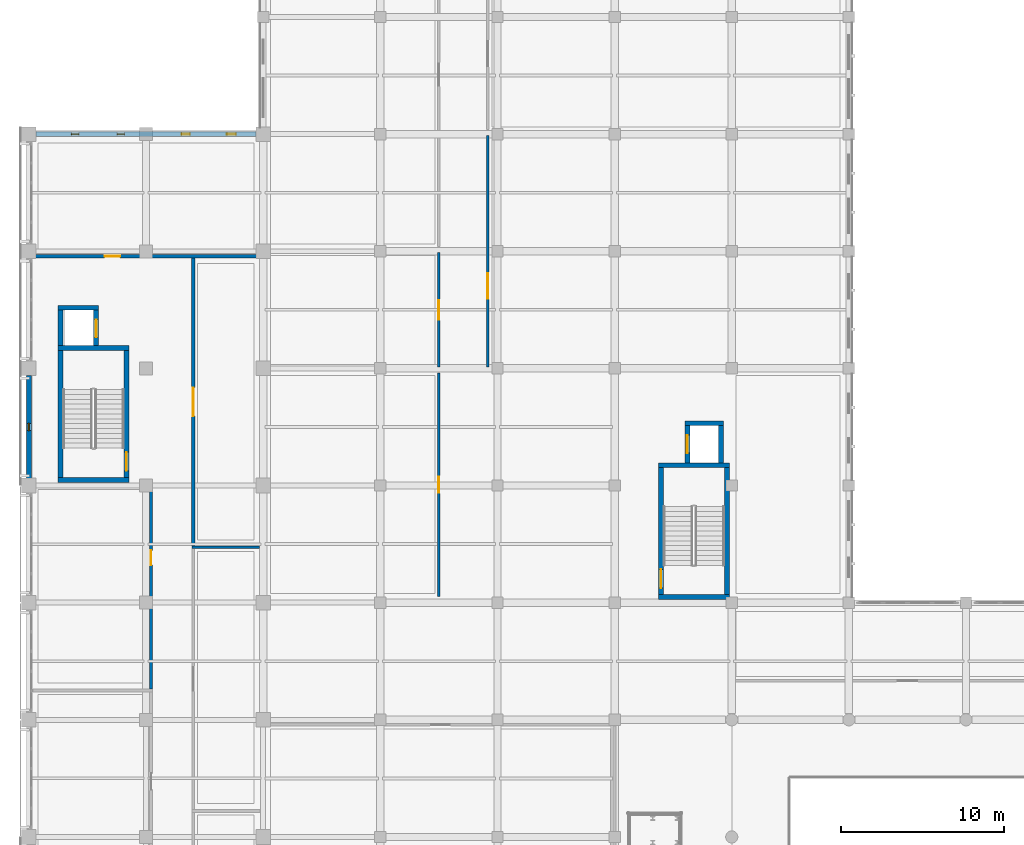
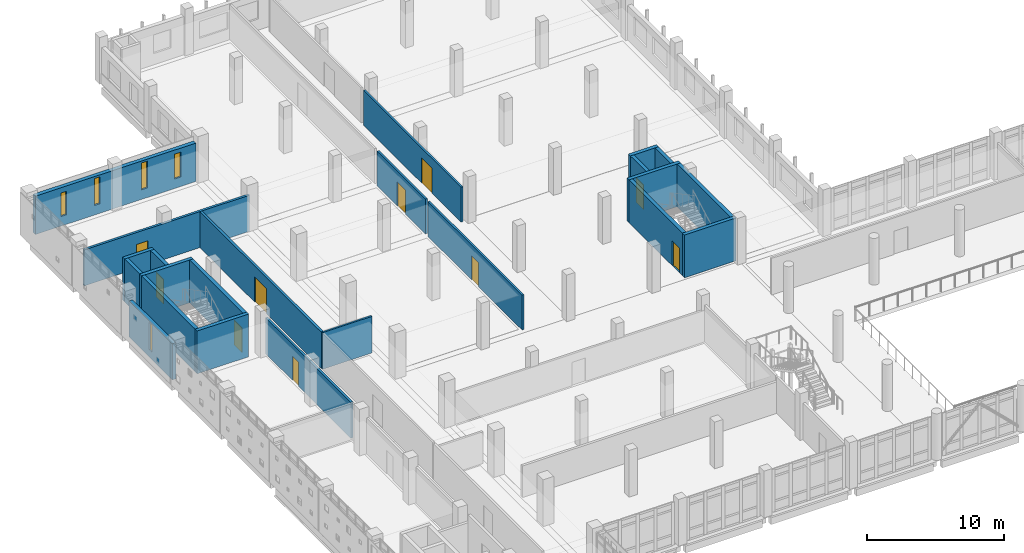
# One storey, part 36 of 57: 23 walls, 10 doors, 5 windows, 15 openings.
"""IFC4 building model written with IfcOpenShell, lengths in metres."""

from ifc_helpers import new_model, si_unit, direction, frame, frame_2d, origin, place, context, subcontext, project, spatial, rectangle, extrude, material, layer, layer_set, type_object, element, fill, save


model = new_model("IFC4")

# Units and contexts
model_context = context("Model", 3, precision=1e-05, world=origin(), true_north=direction((0.0, 1.0)))
body_context = subcontext(model_context, "Body", "Model", "MODEL_VIEW")
ifc_project = project(units=[si_unit("LENGTHUNIT", "METRE"), si_unit("AREAUNIT", "SQUARE_METRE"), si_unit("VOLUMEUNIT", "CUBIC_METRE"), si_unit("PLANEANGLEUNIT", "RADIAN"), si_unit("MASSUNIT", "GRAM", prefix="KILO")], contexts=[model_context])

# Site, building, storey
site_placement = place(None, origin())
site = spatial("IfcSite", under=ifc_project, at=site_placement, CompositionType="ELEMENT")
building_placement = place(site_placement, origin())
building = spatial("IfcBuilding", under=site, at=building_placement, Name="Valkovuoma Quantum and Materials Research Institute", CompositionType="ELEMENT")
storey_placement = place(building_placement, frame((0.0, 0.0, 4.800048828125)))
storey = spatial("IfcBuildingStorey", under=building, at=storey_placement, Name="L01", CompositionType="ELEMENT", Elevation=4.800048828125)

# Walls
ifc_material_1 = material(Name="Concrete C40/50", Category="concrete")
ifc_layer_1 = layer(ifc_material_1, 0.300048828125)
ifc_layer_set_1 = layer_set([ifc_layer_1], Name="Concrete C40/50")
wall_type_1 = type_object("IfcWallType", Name="Wall-W-COR300", PredefinedType="SHEAR", material=ifc_layer_set_1)
for number, where, z_axis, x_axis, name in (
    (1, (1.800048828125, 72.35009765625, 0.0), (0.0, 0.0, 1.0), (1.0, 0.0, 0.0), "L01 core wall 0136"),
    (2, (1.800048828125, 80.449951171875, 0.0), (0.0, 0.0, 1.0), (1.0, 0.0, 0.0), "L01 core wall 0137"),
):
    element("IfcWall", number, at=place(storey_placement, frame(where, z_axis=z_axis, x_axis=x_axis)), inside=storey, type_object=wall_type_1, Name=name, PredefinedType="SHEAR", context=body_context, shape_type="SweptSolid", body=[
        extrude(rectangle(XDim=4.349853515625, YDim=0.300048828125, at=frame_2d((2.1748046875, 0.0))), origin(), (0.0, 0.0, 1.0), 3.81005859375),
    ])
wall_1_placement = place(storey_placement, frame((1.949951171875, 72.5, 0.0), z_axis=(0.0, 0.0, 1.0), x_axis=(0.0, 1.0, 0.0)))
element("IfcWall", 3, at=wall_1_placement, inside=storey, type_object=wall_type_1, Name="L01 core wall 0138", PredefinedType="SHEAR", context=body_context, shape_type="SweptSolid", body=[
    extrude(rectangle(XDim=7.800048828125, YDim=0.300048828125, at=frame_2d((3.89990234375, 0.0))), origin(), (0.0, 0.0, 1.0), 3.81005859375),
])

# Wall, opening, door
wall_2_placement = place(storey_placement, frame((6.0, 72.5, 0.0), z_axis=(0.0, 0.0, 1.0), x_axis=(0.0, 1.0, 0.0)))
wall_2 = element("IfcWall", 4, at=wall_2_placement, inside=storey, type_object=wall_type_1, Name="L01 core wall 0139", PredefinedType="SHEAR", context=body_context, shape_type="SweptSolid", body=[
    extrude(rectangle(XDim=7.800048828125, YDim=0.300048828125, at=frame_2d((3.89990234375, 0.0))), origin(), (0.0, 0.0, 1.0), 3.81005859375),
])
opening_1_placement = place(wall_2_placement, frame((0.39990234375, 0.0, 0.0)))
opening_1 = element("IfcOpeningElement", 5, at=opening_1_placement, cuts=wall_2, Name="Opening SD-025", PredefinedType="OPENING", context=body_context, shape_type="SweptSolid", body=[
    extrude(rectangle(XDim=1.14990234375, YDim=2.199951171875, at=frame_2d((0.574951171875, 1.10009765625))), frame((0.0, 0.16015625, 0.0), z_axis=(0.0, -1.0, 0.0), x_axis=(1.0, 0.0, 0.0)), (0.0, 0.0, 1.0), 0.320068359375),
])
ifc_material_2 = material(Name="Powder-coated steel and acoustic timber door assembly", Category="steel")
door_type_1 = type_object("IfcDoorType", Name="Door-DR-ST60", OperationType="NOTDEFINED", PredefinedType="DOOR", material=ifc_material_2)
door_1_placement = place(opening_1_placement, origin())
door_1 = element("IfcDoor", 6, at=door_1_placement, inside=storey, type_object=door_type_1, Name="L01 ST-2 fire door", OperationType="SINGLE_SWING_RIGHT", OverallHeight=2.199951171875, OverallWidth=1.14990234375, PredefinedType="DOOR", context=body_context, shape_type="SweptSolid", body=[
    extrude(rectangle(XDim=1.14990234375, YDim=2.199951171875, at=frame_2d((0.574951171875, 1.10009765625))), frame((0.0, 0.02490234375, 0.0), z_axis=(0.0, -1.0, 0.0), x_axis=(1.0, 0.0, 0.0)), (0.0, 0.0, 1.0), 0.050048828125),
])
fill(opening_1, door_1)

# Walls
wall_3_placement = place(storey_placement, frame((1.800048828125, 82.929931640625, 0.0), z_axis=(0.0, 0.0, 1.0), x_axis=(1.0, 0.0, 0.0)))
element("IfcWall", 7, at=wall_3_placement, inside=storey, type_object=wall_type_1, Name="L01 core wall 0140", PredefinedType="SHEAR", context=body_context, shape_type="SweptSolid", body=[
    extrude(rectangle(XDim=2.47998046875, YDim=0.300048828125, at=frame_2d((1.239990234375, 0.0))), origin(), (0.0, 0.0, 1.0), 3.81005859375),
])
wall_4_placement = place(storey_placement, frame((1.949951171875, 80.60009765625, 0.0), z_axis=(0.0, 0.0, 1.0), x_axis=(0.0, 1.0, 0.0)))
element("IfcWall", 8, at=wall_4_placement, inside=storey, type_object=wall_type_1, Name="L01 core wall 0141", PredefinedType="SHEAR", context=body_context, shape_type="SweptSolid", body=[
    extrude(rectangle(XDim=2.179931640625, YDim=0.300048828125, at=frame_2d((1.08984375, 0.0))), origin(), (0.0, 0.0, 1.0), 3.81005859375),
])

# Wall, opening, door
wall_5_placement = place(storey_placement, frame((4.1298828125, 80.60009765625, 0.0), z_axis=(0.0, 0.0, 1.0), x_axis=(0.0, 1.0, 0.0)))
wall_5 = element("IfcWall", 9, at=wall_5_placement, inside=storey, type_object=wall_type_1, Name="L01 core wall 0142", PredefinedType="SHEAR", context=body_context, shape_type="SweptSolid", body=[
    extrude(rectangle(XDim=2.179931640625, YDim=0.300048828125, at=frame_2d((1.08984375, 0.0))), origin(), (0.0, 0.0, 1.0), 3.81005859375),
])
opening_2_placement = place(wall_5_placement, frame((0.5, 0.0, 0.0)))
opening_2 = element("IfcOpeningElement", 10, at=opening_2_placement, cuts=wall_5, Name="Opening LD-025", PredefinedType="OPENING", context=body_context, shape_type="SweptSolid", body=[
    extrude(rectangle(XDim=1.10009765625, YDim=2.199951171875, at=frame_2d((0.550048828125, 1.10009765625))), frame((0.0, 0.16015625, 0.0), z_axis=(0.0, -1.0, 0.0), x_axis=(1.0, 0.0, 0.0)), (0.0, 0.0, 1.0), 0.320068359375),
])
ifc_material_3 = material(Name="Powder-coated steel and acoustic timber door assembly", Category="steel")
door_type_2 = type_object("IfcDoorType", Name="Door-DR-LD01", OperationType="NOTDEFINED", PredefinedType="DOOR", material=ifc_material_3)
door_2_placement = place(opening_2_placement, origin())
door_2 = element("IfcDoor", 11, at=door_2_placement, inside=storey, type_object=door_type_2, Name="L01 LIFT-P2 sliding landing door", OperationType="SLIDING_TO_LEFT", OverallHeight=2.199951171875, OverallWidth=1.10009765625, PredefinedType="DOOR", context=body_context, shape_type="SweptSolid", body=[
    extrude(rectangle(XDim=1.10009765625, YDim=2.199951171875, at=frame_2d((0.550048828125, 1.10009765625))), frame((0.0, 0.02490234375, 0.0), z_axis=(0.0, -1.0, 0.0), x_axis=(1.0, 0.0, 0.0)), (0.0, 0.0, 1.0), 0.050048828125),
])
fill(opening_2, door_2)

# Walls
for number, where, z_axis, x_axis, name in (
    (12, (38.699951171875, 65.14990234375, 0.0), (0.0, 0.0, 1.0), (1.0, 0.0, 0.0), "L01 core wall 0277"),
    (13, (38.699951171875, 73.25, 0.0), (0.0, 0.0, 1.0), (1.0, 0.0, 0.0), "L01 core wall 0278"),
):
    element("IfcWall", number, at=place(storey_placement, frame(where, z_axis=z_axis, x_axis=x_axis)), inside=storey, type_object=wall_type_1, Name=name, PredefinedType="SHEAR", context=body_context, shape_type="SweptSolid", body=[
        extrude(rectangle(XDim=4.35009765625, YDim=0.300048828125, at=frame_2d((2.175048828125, 0.0))), origin(), (0.0, 0.0, 1.0), 3.81005859375),
    ])

# Wall, opening, door
wall_6_placement = place(storey_placement, frame((38.85009765625, 65.300048828125, 0.0), z_axis=(0.0, 0.0, 1.0), x_axis=(0.0, 1.0, 0.0)))
wall_6 = element("IfcWall", 14, at=wall_6_placement, inside=storey, type_object=wall_type_1, Name="L01 core wall 0279", PredefinedType="SHEAR", context=body_context, shape_type="SweptSolid", body=[
    extrude(rectangle(XDim=7.800048828125, YDim=0.300048828125, at=frame_2d((3.89990234375, 0.0))), origin(), (0.0, 0.0, 1.0), 3.81005859375),
])
opening_3_placement = place(wall_6_placement, frame((0.39990234375, 0.0, 0.0)))
opening_3 = element("IfcOpeningElement", 15, at=opening_3_placement, cuts=wall_6, Name="Opening SD-044", PredefinedType="OPENING", context=body_context, shape_type="SweptSolid", body=[
    extrude(rectangle(XDim=1.14990234375, YDim=2.199951171875, at=frame_2d((0.574951171875, 1.10009765625))), frame((0.0, 0.16015625, 0.0), z_axis=(0.0, -1.0, 0.0), x_axis=(1.0, 0.0, 0.0)), (0.0, 0.0, 1.0), 0.320068359375),
])
door_3_placement = place(opening_3_placement, frame((1.14990234375, 0.0, 0.0), z_axis=(0.0, 0.0, 1.0), x_axis=(-1.0, 0.0, 0.0)))
door_3 = element("IfcDoor", 16, at=door_3_placement, inside=storey, type_object=door_type_1, Name="L01 ST-4 fire door", OperationType="SINGLE_SWING_LEFT", OverallHeight=2.199951171875, OverallWidth=1.14990234375, PredefinedType="DOOR", context=body_context, shape_type="SweptSolid", body=[
    extrude(rectangle(XDim=1.14990234375, YDim=2.199951171875, at=frame_2d((0.574951171875, 1.10009765625))), frame((0.0, 0.02490234375, 0.0), z_axis=(0.0, -1.0, 0.0), x_axis=(1.0, 0.0, 0.0)), (0.0, 0.0, 1.0), 0.050048828125),
])
fill(opening_3, door_3)

# Walls
wall_7_placement = place(storey_placement, frame((42.89990234375, 65.300048828125, 0.0), z_axis=(0.0, 0.0, 1.0), x_axis=(0.0, 1.0, 0.0)))
element("IfcWall", 17, at=wall_7_placement, inside=storey, type_object=wall_type_1, Name="L01 core wall 0280", PredefinedType="SHEAR", context=body_context, shape_type="SweptSolid", body=[
    extrude(rectangle(XDim=7.800048828125, YDim=0.300048828125, at=frame_2d((3.89990234375, 0.0))), origin(), (0.0, 0.0, 1.0), 3.81005859375),
])
wall_8_placement = place(storey_placement, frame((40.320068359375, 75.830078125, 0.0), z_axis=(0.0, 0.0, 1.0), x_axis=(1.0, 0.0, 0.0)))
element("IfcWall", 18, at=wall_8_placement, inside=storey, type_object=wall_type_1, Name="L01 core wall 0281", PredefinedType="SHEAR", context=body_context, shape_type="SweptSolid", body=[
    extrude(rectangle(XDim=2.35986328125, YDim=0.300048828125, at=frame_2d((1.179931640625, 0.0))), origin(), (0.0, 0.0, 1.0), 3.81005859375),
])

# Wall, opening, door
wall_9_placement = place(storey_placement, frame((40.469970703125, 73.39990234375, 0.0), z_axis=(0.0, 0.0, 1.0), x_axis=(0.0, 1.0, 0.0)))
wall_9 = element("IfcWall", 19, at=wall_9_placement, inside=storey, type_object=wall_type_1, Name="L01 core wall 0282", PredefinedType="SHEAR", context=body_context, shape_type="SweptSolid", body=[
    extrude(rectangle(XDim=2.280029296875, YDim=0.300048828125, at=frame_2d((1.14013671875, 0.0))), origin(), (0.0, 0.0, 1.0), 3.81005859375),
])
opening_4_placement = place(wall_9_placement, frame((0.60009765625, 0.0, 0.0)))
opening_4 = element("IfcOpeningElement", 20, at=opening_4_placement, cuts=wall_9, Name="Opening LD-052", PredefinedType="OPENING", context=body_context, shape_type="SweptSolid", body=[
    extrude(rectangle(XDim=1.10009765625, YDim=2.199951171875, at=frame_2d((0.550048828125, 1.10009765625))), frame((0.0, 0.16015625, 0.0), z_axis=(0.0, -1.0, 0.0), x_axis=(1.0, 0.0, 0.0)), (0.0, 0.0, 1.0), 0.320068359375),
])
door_4_placement = place(opening_4_placement, origin())
door_4 = element("IfcDoor", 21, at=door_4_placement, inside=storey, type_object=door_type_2, Name="L01 LIFT-P4 sliding landing door", OperationType="SLIDING_TO_LEFT", OverallHeight=2.199951171875, OverallWidth=1.10009765625, PredefinedType="DOOR", context=body_context, shape_type="SweptSolid", body=[
    extrude(rectangle(XDim=1.10009765625, YDim=2.199951171875, at=frame_2d((0.550048828125, 1.10009765625))), frame((0.0, 0.02490234375, 0.0), z_axis=(0.0, -1.0, 0.0), x_axis=(1.0, 0.0, 0.0)), (0.0, 0.0, 1.0), 0.050048828125),
])
fill(opening_4, door_4)

# Wall
wall_10_placement = place(storey_placement, frame((42.530029296875, 73.39990234375, 0.0), z_axis=(0.0, 0.0, 1.0), x_axis=(0.0, 1.0, 0.0)))
element("IfcWall", 22, at=wall_10_placement, inside=storey, type_object=wall_type_1, Name="L01 core wall 0283", PredefinedType="SHEAR", context=body_context, shape_type="SweptSolid", body=[
    extrude(rectangle(XDim=2.280029296875, YDim=0.300048828125, at=frame_2d((1.14013671875, 0.0))), origin(), (0.0, 0.0, 1.0), 3.81005859375),
])

# Wall, opening, window
ifc_material_4 = material(Name="Precast concrete C40/50", Category="concrete")
ifc_layer_2 = layer(ifc_material_4, 0.300048828125)
ifc_layer_set_2 = layer_set([ifc_layer_2], Name="Precast concrete C40/50")
wall_type_2 = type_object("IfcWallType", Name="Wall-W-EXT300", PredefinedType="SOLIDWALL", material=ifc_layer_set_2)
wall_11_placement = place(storey_placement, frame((0.0, 72.43994140625, 0.0), z_axis=(0.0, 0.0, 1.0), x_axis=(0.0, 1.0, 0.0)))
wall_11 = element("IfcWall", 23, at=wall_11_placement, inside=storey, type_object=wall_type_2, Name="L01 exterior wall 0035", PredefinedType="SOLIDWALL", context=body_context, shape_type="SweptSolid", body=[
    extrude(rectangle(XDim=6.320068359375, YDim=0.300048828125, at=frame_2d((3.16015625, 0.0))), origin(), (0.0, 0.0, 1.0), 3.2099609375),
])
opening_5_placement = place(wall_11_placement, frame((2.93505859375, 0.0, 0.64990234375)))
opening_5 = element("IfcOpeningElement", 24, at=opening_5_placement, cuts=wall_11, Name="Opening WN-SL01", PredefinedType="OPENING", context=body_context, shape_type="SweptSolid", body=[
    extrude(rectangle(XDim=0.449951171875, YDim=2.39990234375, at=frame_2d((0.22509765625, 1.199951171875))), frame((0.0, 0.16015625, 0.0), z_axis=(0.0, -1.0, 0.0), x_axis=(1.0, 0.0, 0.0)), (0.0, 0.0, 1.0), 0.320068359375),
])
ifc_material_5 = material(Name="Triple low-E argon glazing in thermally broken aluminium frame", Category="aluminium")
window_type_1 = type_object("IfcWindowType", Name="Win-WN-SL01", PartitioningType="SINGLE_PANEL", PredefinedType="WINDOW", material=ifc_material_5)
window_1_placement = place(opening_5_placement, origin())
window_1 = element("IfcWindow", 25, at=window_1_placement, inside=storey, type_object=window_type_1, Name="L01 window 0009", OverallHeight=2.39990234375, OverallWidth=0.449951171875, PartitioningType="SINGLE_PANEL", PredefinedType="WINDOW", context=body_context, shape_type="SweptSolid", body=[
    extrude(rectangle(XDim=0.449951171875, YDim=2.39990234375, at=frame_2d((0.22509765625, 1.199951171875))), frame((0.0, 0.030029296875, 0.0), z_axis=(0.0, -1.0, 0.0), x_axis=(1.0, 0.0, 0.0)), (0.0, 0.0, 1.0), 0.06005859375),
])
fill(opening_5, window_1)

# Wall, openings, windows
ifc_material_6 = material(Name="Precast concrete C40/50", Category="concrete")
ifc_layer_3 = layer(ifc_material_6, 0.320068359375)
ifc_layer_set_3 = layer_set([ifc_layer_3], Name="Precast concrete C40/50")
wall_type_3 = type_object("IfcWallType", Name="Wall-W-EXT320", PredefinedType="SOLIDWALL", material=ifc_layer_set_3)
wall_12_placement = place(storey_placement, frame((0.43994140625, 93.60009765625, 0.0), z_axis=(0.0, 0.0, 1.0), x_axis=(1.0, 0.0, 0.0)))
wall_12 = element("IfcWall", 26, at=wall_12_placement, inside=storey, type_object=wall_type_3, Name="L01 exterior wall 0033", PredefinedType="SOLIDWALL", context=body_context, shape_type="SweptSolid", body=[
    extrude(rectangle(XDim=13.52001953125, YDim=0.320068359375, at=frame_2d((6.760009765625, 0.0))), origin(), (0.0, 0.0, 1.0), 3.419921875),
])
opening_6_placement = place(wall_12_placement, frame((2.175048828125, 0.0, 0.85009765625)))
opening_6 = element("IfcOpeningElement", 27, at=opening_6_placement, cuts=wall_12, Name="Opening WN-SL04", PredefinedType="OPENING", context=body_context, shape_type="SweptSolid", body=[
    extrude(rectangle(XDim=0.449951171875, YDim=2.10009765625, at=frame_2d((0.22509765625, 1.050048828125))), frame((0.0, 0.169921875, 0.0), z_axis=(0.0, -1.0, 0.0), x_axis=(1.0, 0.0, 0.0)), (0.0, 0.0, 1.0), 0.340087890625),
])
opening_7_placement = place(wall_12_placement, frame((4.97509765625, 0.0, 0.85009765625)))
opening_7 = element("IfcOpeningElement", 28, at=opening_7_placement, cuts=wall_12, Name="Opening WN-SL01", PredefinedType="OPENING", context=body_context, shape_type="SweptSolid", body=[
    extrude(rectangle(XDim=0.449951171875, YDim=2.39990234375, at=frame_2d((0.22509765625, 1.199951171875))), frame((0.0, 0.169921875, 0.0), z_axis=(0.0, -1.0, 0.0), x_axis=(1.0, 0.0, 0.0)), (0.0, 0.0, 1.0), 0.340087890625),
])
opening_8_placement = place(wall_12_placement, frame((8.949951171875, 0.0, 0.85009765625)))
opening_8 = element("IfcOpeningElement", 29, at=opening_8_placement, cuts=wall_12, Name="Opening WN-SL02", PredefinedType="OPENING", context=body_context, shape_type="SweptSolid", body=[
    extrude(rectangle(XDim=0.5, YDim=2.39990234375, at=frame_2d((0.25, 1.199951171875))), frame((0.0, 0.169921875, 0.0), z_axis=(0.0, -1.0, 0.0), x_axis=(1.0, 0.0, 0.0)), (0.0, 0.0, 1.0), 0.340087890625),
])
opening_9_placement = place(wall_12_placement, frame((11.72509765625, 0.0, 0.85009765625)))
opening_9 = element("IfcOpeningElement", 30, at=opening_9_placement, cuts=wall_12, Name="Opening WN-SL03", PredefinedType="OPENING", context=body_context, shape_type="SweptSolid", body=[
    extrude(rectangle(XDim=0.550048828125, YDim=2.199951171875, at=frame_2d((0.27490234375, 1.10009765625))), frame((0.0, 0.169921875, 0.0), z_axis=(0.0, -1.0, 0.0), x_axis=(1.0, 0.0, 0.0)), (0.0, 0.0, 1.0), 0.340087890625),
])
window_2_placement = place(opening_7_placement, origin())
window_2 = element("IfcWindow", 31, at=window_2_placement, inside=storey, type_object=window_type_1, Name="L01 window 0006", OverallHeight=2.39990234375, OverallWidth=0.449951171875, PartitioningType="SINGLE_PANEL", PredefinedType="WINDOW", context=body_context, shape_type="SweptSolid", body=[
    extrude(rectangle(XDim=0.449951171875, YDim=2.39990234375, at=frame_2d((0.22509765625, 1.199951171875))), frame((0.0, 0.030029296875, 0.0), z_axis=(0.0, -1.0, 0.0), x_axis=(1.0, 0.0, 0.0)), (0.0, 0.0, 1.0), 0.06005859375),
])
fill(opening_7, window_2)
ifc_material_7 = material(Name="Triple low-E argon glazing in thermally broken aluminium frame", Category="aluminium")
window_type_2 = type_object("IfcWindowType", Name="Win-WN-SL02", PartitioningType="SINGLE_PANEL", PredefinedType="WINDOW", material=ifc_material_7)
window_3_placement = place(opening_8_placement, origin())
window_3 = element("IfcWindow", 32, at=window_3_placement, inside=storey, type_object=window_type_2, Name="L01 window 0007", OverallHeight=2.39990234375, OverallWidth=0.5, PartitioningType="SINGLE_PANEL", PredefinedType="WINDOW", context=body_context, shape_type="SweptSolid", body=[
    extrude(rectangle(XDim=0.5, YDim=2.39990234375, at=frame_2d((0.25, 1.199951171875))), frame((0.0, 0.030029296875, 0.0), z_axis=(0.0, -1.0, 0.0), x_axis=(1.0, 0.0, 0.0)), (0.0, 0.0, 1.0), 0.06005859375),
])
fill(opening_8, window_3)
ifc_material_8 = material(Name="Triple low-E argon glazing in thermally broken aluminium frame", Category="aluminium")
window_type_3 = type_object("IfcWindowType", Name="Win-WN-SL03", PartitioningType="SINGLE_PANEL", PredefinedType="WINDOW", material=ifc_material_8)
window_4_placement = place(opening_9_placement, origin())
window_4 = element("IfcWindow", 33, at=window_4_placement, inside=storey, type_object=window_type_3, Name="L01 window 0008", OverallHeight=2.199951171875, OverallWidth=0.550048828125, PartitioningType="SINGLE_PANEL", PredefinedType="WINDOW", context=body_context, shape_type="SweptSolid", body=[
    extrude(rectangle(XDim=0.550048828125, YDim=2.199951171875, at=frame_2d((0.27490234375, 1.10009765625))), frame((0.0, 0.030029296875, 0.0), z_axis=(0.0, -1.0, 0.0), x_axis=(1.0, 0.0, 0.0)), (0.0, 0.0, 1.0), 0.06005859375),
])
fill(opening_9, window_4)
ifc_material_9 = material(Name="Triple low-E argon glazing in thermally broken aluminium frame", Category="aluminium")
window_type_4 = type_object("IfcWindowType", Name="Win-WN-SL04", PartitioningType="SINGLE_PANEL", PredefinedType="WINDOW", material=ifc_material_9)
window_5_placement = place(opening_6_placement, origin())
window_5 = element("IfcWindow", 34, at=window_5_placement, inside=storey, type_object=window_type_4, Name="L01 window 0005", OverallHeight=2.10009765625, OverallWidth=0.449951171875, PartitioningType="SINGLE_PANEL", PredefinedType="WINDOW", context=body_context, shape_type="SweptSolid", body=[
    extrude(rectangle(XDim=0.449951171875, YDim=2.10009765625, at=frame_2d((0.22509765625, 1.050048828125))), frame((0.0, 0.030029296875, 0.0), z_axis=(0.0, -1.0, 0.0), x_axis=(1.0, 0.0, 0.0)), (0.0, 0.0, 1.0), 0.06005859375),
])
fill(opening_6, window_5)

# Wall
ifc_material_10 = material(Name="Acoustic write-up studio partition", Category="masonry")
ifc_layer_4 = layer(ifc_material_10, 0.14990234375)
ifc_layer_set_4 = layer_set([ifc_layer_4], Name="Acoustic write-up studio partition")
wall_type_4 = type_object("IfcWallType", Name="Wall-W-PRT150", PredefinedType="PARTITIONING", material=ifc_layer_set_4)
wall_13_placement = place(storey_placement, frame((10.02490234375, 68.199951171875, 0.0), z_axis=(0.0, 0.0, 1.0), x_axis=(1.0, 0.0, 0.0)))
element("IfcWall", 35, at=wall_13_placement, inside=storey, type_object=wall_type_4, Name="L01 partition 0068", PredefinedType="PARTITIONING", context=body_context, shape_type="SweptSolid", body=[
    extrude(rectangle(XDim=4.150146484375, YDim=0.14990234375, at=frame_2d((2.0751953125, 0.0))), origin(), (0.0, 0.0, 1.0), 3.260009765625),
])

# Wall, opening, door
ifc_material_11 = material(Name="Cleanroom insulated metal-faced partition", Category="masonry")
ifc_layer_5 = layer(ifc_material_11, 0.159912109375)
ifc_layer_set_5 = layer_set([ifc_layer_5], Name="Cleanroom insulated metal-faced partition")
wall_type_5 = type_object("IfcWallType", Name="Wall-W-PRT160", PredefinedType="PARTITIONING", material=ifc_layer_set_5)
wall_14_placement = place(storey_placement, frame((25.199951171875, 65.179931640625, 0.0), z_axis=(0.0, 0.0, 1.0), x_axis=(0.0, 1.0, 0.0)))
wall_14 = element("IfcWall", 36, at=wall_14_placement, inside=storey, type_object=wall_type_5, Name="L01 partition 0085", PredefinedType="PARTITIONING", context=body_context, shape_type="SweptSolid", body=[
    extrude(rectangle(XDim=13.739990234375, YDim=0.159912109375, at=frame_2d((6.8701171875, 0.0))), origin(), (0.0, 0.0, 1.0), 3.10986328125),
])
opening_10_placement = place(wall_14_placement, frame((6.3701171875, 0.0, 0.0)))
opening_10 = element("IfcOpeningElement", 37, at=opening_10_placement, cuts=wall_14, Name="Opening ID-0061", PredefinedType="OPENING", context=body_context, shape_type="SweptSolid", body=[
    extrude(rectangle(XDim=1.0, YDim=2.14990234375, at=frame_2d((0.5, 1.074951171875))), frame((0.0, 0.08984375, 0.0), z_axis=(0.0, -1.0, 0.0), x_axis=(1.0, 0.0, 0.0)), (0.0, 0.0, 1.0), 0.179931640625),
])
ifc_material_12 = material(Name="Powder-coated steel and acoustic timber door assembly", Category="steel")
door_type_3 = type_object("IfcDoorType", Name="Door-DR-CL01", OperationType="NOTDEFINED", PredefinedType="DOOR", material=ifc_material_12)
door_5_placement = place(opening_10_placement, origin())
door_5 = element("IfcDoor", 38, at=door_5_placement, inside=storey, type_object=door_type_3, Name="L01 room door 0061", OperationType="SINGLE_SWING_RIGHT", OverallHeight=2.14990234375, OverallWidth=1.0, PredefinedType="DOOR", context=body_context, shape_type="SweptSolid", body=[
    extrude(rectangle(XDim=1.0, YDim=2.14990234375, at=frame_2d((0.5, 1.074951171875))), frame((0.0, 0.02490234375, 0.0), z_axis=(0.0, -1.0, 0.0), x_axis=(1.0, 0.0, 0.0)), (0.0, 0.0, 1.0), 0.050048828125),
])
fill(opening_10, door_5)

wall_15_placement = place(storey_placement, frame((25.199951171875, 79.280029296875, 0.0), z_axis=(0.0, 0.0, 1.0), x_axis=(0.0, 1.0, 0.0)))
wall_15 = element("IfcWall", 39, at=wall_15_placement, inside=storey, type_object=wall_type_5, Name="L01 partition 0086", PredefinedType="PARTITIONING", context=body_context, shape_type="SweptSolid", body=[
    extrude(rectangle(XDim=7.0400390625, YDim=0.159912109375, at=frame_2d((3.52001953125, 0.0))), origin(), (0.0, 0.0, 1.0), 3.10986328125),
])
opening_11_placement = place(wall_15_placement, frame((2.919921875, 0.0, 0.0)))
opening_11 = element("IfcOpeningElement", 40, at=opening_11_placement, cuts=wall_15, Name="Opening ID-0062", PredefinedType="OPENING", context=body_context, shape_type="SweptSolid", body=[
    extrude(rectangle(XDim=1.199951171875, YDim=2.14990234375, at=frame_2d((0.60009765625, 1.074951171875))), frame((0.0, 0.08984375, 0.0), z_axis=(0.0, -1.0, 0.0), x_axis=(1.0, 0.0, 0.0)), (0.0, 0.0, 1.0), 0.179931640625),
])
ifc_material_13 = material(Name="Powder-coated steel and acoustic timber door assembly", Category="steel")
door_type_4 = type_object("IfcDoorType", Name="Door-DR-CL02", OperationType="NOTDEFINED", PredefinedType="DOOR", material=ifc_material_13)
door_6_placement = place(opening_11_placement, origin())
door_6 = element("IfcDoor", 41, at=door_6_placement, inside=storey, type_object=door_type_4, Name="L01 room door 0062", OperationType="SINGLE_SWING_LEFT", OverallHeight=2.14990234375, OverallWidth=1.199951171875, PredefinedType="DOOR", context=body_context, shape_type="SweptSolid", body=[
    extrude(rectangle(XDim=1.199951171875, YDim=2.14990234375, at=frame_2d((0.60009765625, 1.074951171875))), frame((0.0, 0.02490234375, 0.0), z_axis=(0.0, -1.0, 0.0), x_axis=(1.0, 0.0, 0.0)), (0.0, 0.0, 1.0), 0.050048828125),
])
fill(opening_11, door_6)

wall_16_placement = place(storey_placement, frame((28.199951171875, 79.280029296875, 0.0), z_axis=(0.0, 0.0, 1.0), x_axis=(0.0, 1.0, 0.0)))
wall_16 = element("IfcWall", 42, at=wall_16_placement, inside=storey, type_object=wall_type_5, Name="L01 partition 0088", PredefinedType="PARTITIONING", context=body_context, shape_type="SweptSolid", body=[
    extrude(rectangle(XDim=14.239990234375, YDim=0.159912109375, at=frame_2d((7.1201171875, 0.0))), origin(), (0.0, 0.0, 1.0), 3.10986328125),
])
opening_12_placement = place(wall_16_placement, frame((4.208984375, 0.0, 0.0)))
opening_12 = element("IfcOpeningElement", 43, at=opening_12_placement, cuts=wall_16, Name="Opening ID-0064", PredefinedType="OPENING", context=body_context, shape_type="SweptSolid", body=[
    extrude(rectangle(XDim=1.550048828125, YDim=2.25, at=frame_2d((0.77490234375, 1.125))), frame((0.0, 0.08984375, 0.0), z_axis=(0.0, -1.0, 0.0), x_axis=(1.0, 0.0, 0.0)), (0.0, 0.0, 1.0), 0.179931640625),
])
ifc_material_14 = material(Name="Powder-coated steel and acoustic timber door assembly", Category="steel")
door_type_5 = type_object("IfcDoorType", Name="Door-DR-CL04", OperationType="NOTDEFINED", PredefinedType="DOOR", material=ifc_material_14)
door_7_placement = place(opening_12_placement, origin())
door_7 = element("IfcDoor", 44, at=door_7_placement, inside=storey, type_object=door_type_5, Name="L01 room door 0064", OperationType="DOUBLE_DOOR_SINGLE_SWING", OverallHeight=2.25, OverallWidth=1.550048828125, PredefinedType="DOOR", context=body_context, shape_type="SweptSolid", body=[
    extrude(rectangle(XDim=1.550048828125, YDim=2.25, at=frame_2d((0.77490234375, 1.125))), frame((0.0, 0.02490234375, 0.0), z_axis=(0.0, -1.0, 0.0), x_axis=(1.0, 0.0, 0.0)), (0.0, 0.0, 1.0), 0.050048828125),
])
fill(opening_12, door_7)

ifc_material_15 = material(Name="Laboratory fire-rated gypsum partition", Category="masonry")
ifc_layer_6 = layer(ifc_material_15, 0.179931640625)
ifc_layer_set_6 = layer_set([ifc_layer_6], Name="Laboratory fire-rated gypsum partition")
wall_type_6 = type_object("IfcWallType", Name="Wall-W-PRT180", PredefinedType="PARTITIONING", material=ifc_layer_set_6)
wall_17_placement = place(storey_placement, frame((7.5, 59.489990234375, 0.0), z_axis=(0.0, 0.0, 1.0), x_axis=(0.0, 1.0, 0.0)))
wall_17 = element("IfcWall", 45, at=wall_17_placement, inside=storey, type_object=wall_type_6, Name="L01 partition 0063", PredefinedType="PARTITIONING", context=body_context, shape_type="SweptSolid", body=[
    extrude(rectangle(XDim=12.419921875, YDim=0.179931640625, at=frame_2d((6.2099609375, 0.0))), origin(), (0.0, 0.0, 1.0), 3.2099609375),
])
opening_13_placement = place(wall_17_placement, frame((7.613037109375, 0.0, 0.0)))
opening_13 = element("IfcOpeningElement", 46, at=opening_13_placement, cuts=wall_17, Name="Opening ID-0047", PredefinedType="OPENING", context=body_context, shape_type="SweptSolid", body=[
    extrude(rectangle(XDim=0.919921875, YDim=2.14990234375, at=frame_2d((0.4599609375, 1.074951171875))), frame((0.0, 0.10009765625, 0.0), z_axis=(0.0, -1.0, 0.0), x_axis=(1.0, 0.0, 0.0)), (0.0, 0.0, 1.0), 0.199951171875),
])
ifc_material_16 = material(Name="Powder-coated steel and acoustic timber door assembly", Category="steel")
door_type_6 = type_object("IfcDoorType", Name="Door-DR-OF05", OperationType="NOTDEFINED", PredefinedType="DOOR", material=ifc_material_16)
door_8_placement = place(opening_13_placement, origin())
door_8 = element("IfcDoor", 47, at=door_8_placement, inside=storey, type_object=door_type_6, Name="L01 room door 0047", OperationType="SINGLE_SWING_RIGHT", OverallHeight=2.14990234375, OverallWidth=0.919921875, PredefinedType="DOOR", context=body_context, shape_type="SweptSolid", body=[
    extrude(rectangle(XDim=0.919921875, YDim=2.14990234375, at=frame_2d((0.4599609375, 1.074951171875))), frame((0.0, 0.02490234375, 0.0), z_axis=(0.0, -1.0, 0.0), x_axis=(1.0, 0.0, 0.0)), (0.0, 0.0, 1.0), 0.050048828125),
])
fill(opening_13, door_8)

ifc_material_17 = material(Name="Acoustic double-stud gypsum and mineral wool partition", Category="masonry")
ifc_layer_7 = layer(ifc_material_17, 0.199951171875)
ifc_layer_set_7 = layer_set([ifc_layer_7], Name="Acoustic double-stud gypsum and mineral wool partition")
wall_type_7 = type_object("IfcWallType", Name="Wall-W-PRT200", PredefinedType="PARTITIONING", material=ifc_layer_set_7)
wall_18_placement = place(storey_placement, frame((0.25, 86.10009765625, 0.0), z_axis=(0.0, 0.0, 1.0), x_axis=(1.0, 0.0, 0.0)))
wall_18 = element("IfcWall", 48, at=wall_18_placement, inside=storey, type_object=wall_type_7, Name="L01 partition 0064", PredefinedType="PARTITIONING", context=body_context, shape_type="SweptSolid", body=[
    extrude(rectangle(XDim=13.949951171875, YDim=0.199951171875, at=frame_2d((6.97509765625, 0.0))), origin(), (0.0, 0.0, 1.0), 3.2099609375),
])
opening_14_placement = place(wall_18_placement, frame((4.402587890625, 0.0, 0.0)))
opening_14 = element("IfcOpeningElement", 49, at=opening_14_placement, cuts=wall_18, Name="Opening ID-0048", PredefinedType="OPENING", context=body_context, shape_type="SweptSolid", body=[
    extrude(rectangle(XDim=0.9599609375, YDim=2.14990234375, at=frame_2d((0.47998046875, 1.074951171875))), frame((0.0, 0.10986328125, 0.0), z_axis=(0.0, -1.0, 0.0), x_axis=(1.0, 0.0, 0.0)), (0.0, 0.0, 1.0), 0.219970703125),
])
ifc_material_18 = material(Name="Powder-coated steel and acoustic timber door assembly", Category="steel")
door_type_7 = type_object("IfcDoorType", Name="Door-DR-OF06", OperationType="NOTDEFINED", PredefinedType="DOOR", material=ifc_material_18)
door_9_placement = place(opening_14_placement, origin())
door_9 = element("IfcDoor", 50, at=door_9_placement, inside=storey, type_object=door_type_7, Name="L01 room door 0048", OperationType="SINGLE_SWING_LEFT", OverallHeight=2.14990234375, OverallWidth=0.9599609375, PredefinedType="DOOR", context=body_context, shape_type="SweptSolid", body=[
    extrude(rectangle(XDim=0.9599609375, YDim=2.14990234375, at=frame_2d((0.47998046875, 1.074951171875))), frame((0.0, 0.02490234375, 0.0), z_axis=(0.0, -1.0, 0.0), x_axis=(1.0, 0.0, 0.0)), (0.0, 0.0, 1.0), 0.050048828125),
])
fill(opening_14, door_9)

wall_19_placement = place(storey_placement, frame((10.10009765625, 68.27490234375, 0.0), z_axis=(0.0, 0.0, 1.0), x_axis=(0.0, 1.0, 0.0)))
wall_19 = element("IfcWall", 51, at=wall_19_placement, inside=storey, type_object=wall_type_7, Name="L01 partition 0070", PredefinedType="PARTITIONING", context=body_context, shape_type="SweptSolid", body=[
    extrude(rectangle(XDim=17.72509765625, YDim=0.199951171875, at=frame_2d((8.862548828125, 0.0))), origin(), (0.0, 0.0, 1.0), 3.2099609375),
])
opening_15_placement = place(wall_19_placement, frame((7.987548828125, 0.0, 0.0)))
opening_15 = element("IfcOpeningElement", 52, at=opening_15_placement, cuts=wall_19, Name="Opening ID-0052", PredefinedType="OPENING", context=body_context, shape_type="SweptSolid", body=[
    extrude(rectangle(XDim=1.75, YDim=2.25, at=frame_2d((0.875, 1.125))), frame((0.0, 0.10986328125, 0.0), z_axis=(0.0, -1.0, 0.0), x_axis=(1.0, 0.0, 0.0)), (0.0, 0.0, 1.0), 0.219970703125),
])
ifc_material_19 = material(Name="Powder-coated steel and acoustic timber door assembly", Category="steel")
door_type_8 = type_object("IfcDoorType", Name="Door-DR-SM04", OperationType="NOTDEFINED", PredefinedType="DOOR", material=ifc_material_19)
door_10_placement = place(opening_15_placement, origin())
door_10 = element("IfcDoor", 53, at=door_10_placement, inside=storey, type_object=door_type_8, Name="L01 room door 0052", OperationType="DOUBLE_DOOR_SINGLE_SWING", OverallHeight=2.25, OverallWidth=1.75, PredefinedType="DOOR", context=body_context, shape_type="SweptSolid", body=[
    extrude(rectangle(XDim=1.75, YDim=2.25, at=frame_2d((0.875, 1.125))), frame((0.0, 0.02490234375, 0.0), z_axis=(0.0, -1.0, 0.0), x_axis=(1.0, 0.0, 0.0)), (0.0, 0.0, 1.0), 0.050048828125),
])
fill(opening_15, door_10)

save(model, "model.ifc")
